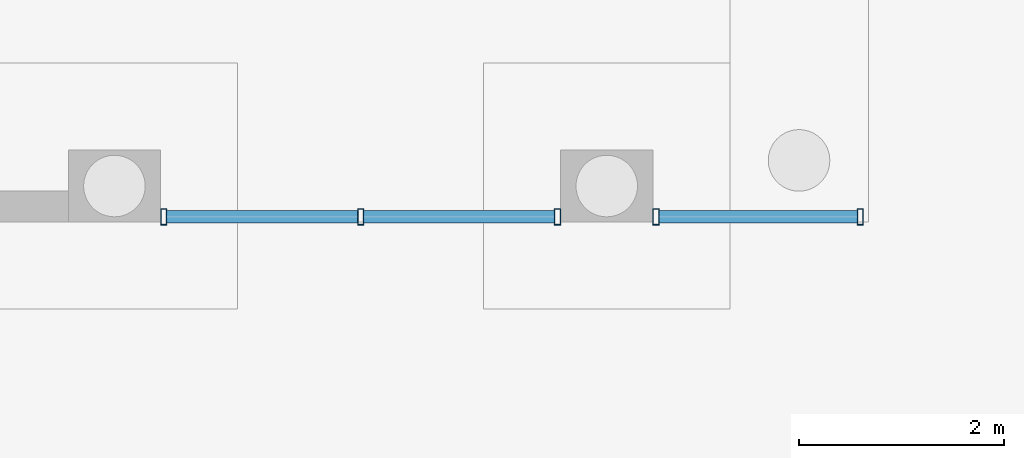
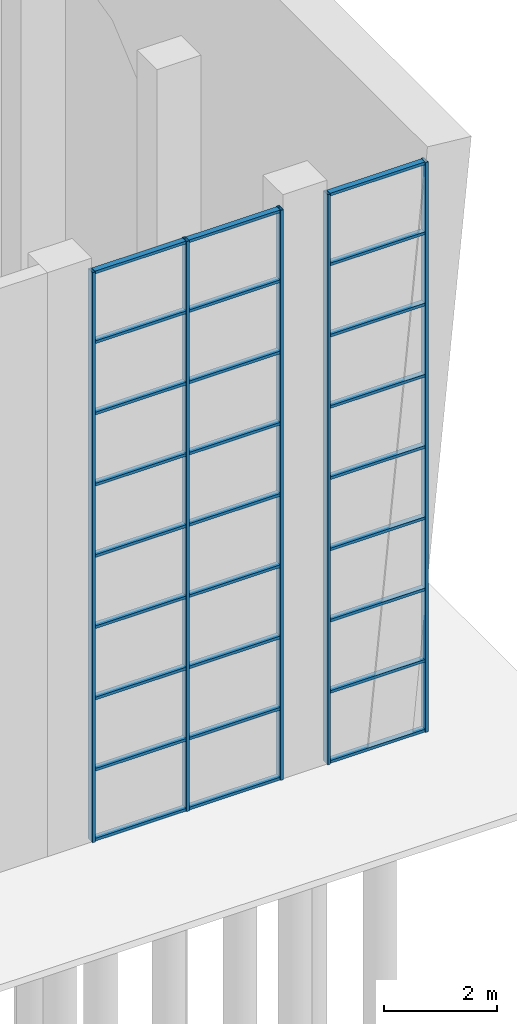
# One storey, part 37 of 58: 32 members, 2 elements without a shape of their own.
"""IFC4 building model written with IfcOpenShell, lengths in metres."""

from ifc_helpers import new_model, si_unit, direction, frame, origin, origin_2d, place, context, subcontext, project, spatial, hollow_rectangle, extrude, material, layer, layer_set, material_profile, profile_set, type_object, element, aggregate, save


model = new_model("IFC4")

# Units and contexts
model_context = context("Model", 3, precision=1e-05, world=origin(), true_north=direction((0.0, 1.0)))
body_context = subcontext(model_context, "Body", "Model", "MODEL_VIEW")
ifc_project = project(units=[si_unit("LENGTHUNIT", "METRE"), si_unit("AREAUNIT", "SQUARE_METRE"), si_unit("VOLUMEUNIT", "CUBIC_METRE"), si_unit("PLANEANGLEUNIT", "RADIAN"), si_unit("MASSUNIT", "GRAM", prefix="KILO")], contexts=[model_context])

# Site, building, storey
site_placement = place(None, origin())
site = spatial("IfcSite", under=ifc_project, at=site_placement, CompositionType="ELEMENT")
building_placement = place(site_placement, origin())
building = spatial("IfcBuilding", under=site, at=building_placement, Name="Baori Bourse Tower", CompositionType="ELEMENT")
storey_placement = place(building_placement, origin())
storey = spatial("IfcBuildingStorey", under=building, at=storey_placement, Name="L00", CompositionType="ELEMENT", Elevation=0.0)

# Curtain wall, members
ifc_material_1 = material(Name="Pale anodised aluminium", Category="aluminium")
ifc_layer = layer(ifc_material_1, 0.10009765625)
ifc_layer_set = layer_set([ifc_layer], Name="Wing curtain wall")
curtain_wall_type = type_object("IfcCurtainWallType", Name="Wing curtain wall", PredefinedType="NOTDEFINED", material=ifc_layer_set)
curtain_wall_1_placement = place(storey_placement, origin())
curtain_wall_1 = element("IfcCurtainWall", 1, at=curtain_wall_1_placement, inside=storey, type_object=curtain_wall_type, Name="wing/L00/Ecw/001", PredefinedType="NOTDEFINED")
ifc_material_2 = material(Name="Pale anodised aluminium", Category="aluminium")
ifc_material_profile_1 = material_profile(ifc_material_2, hollow_rectangle(XDim=0.159912109375, YDim=0.06005859375, WallThickness=0.0048828125, at=origin_2d()), Name="Mullion 160x60x5")
ifc_profile_set_1 = profile_set([ifc_material_profile_1], Name="Pale anodised aluminium")
member_type_1 = type_object("IfcMemberType", Name="Wing mullion 60x160", PredefinedType="MULLION", material=ifc_profile_set_1)
member_1_placement = place(storey_placement, frame((72.47998046875, -25.14990234375, 0.0), z_axis=(0.0, 0.0, 1.0), x_axis=(0.0, 1.0, 0.0)))
member_1 = element("IfcMember", 2, at=member_1_placement, type_object=member_type_1, Name="X12 mullion 1", PredefinedType="MULLION", context=body_context, shape_type="SweptSolid", body=[
    extrude(hollow_rectangle(XDim=0.159912109375, YDim=0.06005859375, WallThickness=0.0048828125, at=origin_2d()), origin(), (0.0, 0.0, 1.0), 12.300048828125),
])
member_2_placement = place(storey_placement, frame((74.47265625, -25.14990234375, 0.0), z_axis=(0.0, 0.0, 1.0), x_axis=(0.0, 1.0, 0.0)))
member_2 = element("IfcMember", 3, at=member_2_placement, type_object=member_type_1, Name="X12 mullion 2", PredefinedType="MULLION", context=body_context, shape_type="SweptSolid", body=[
    extrude(hollow_rectangle(XDim=0.159912109375, YDim=0.06005859375, WallThickness=0.0048828125, at=origin_2d()), origin(), (0.0, 0.0, 1.0), 12.300048828125),
])

curtain_wall_2_placement = place(storey_placement, origin())
curtain_wall_2 = element("IfcCurtainWall", 4, at=curtain_wall_2_placement, inside=storey, type_object=curtain_wall_type, Name="wing/L00/Ecw/002", PredefinedType="NOTDEFINED")
member_3_placement = place(storey_placement, frame((67.679931640625, -25.14990234375, 0.0), z_axis=(0.0, 0.0, 1.0), x_axis=(0.0, 1.0, 0.0)))
member_3 = element("IfcMember", 5, at=member_3_placement, type_object=member_type_1, Name="X12 mullion 1", PredefinedType="MULLION", context=body_context, shape_type="SweptSolid", body=[
    extrude(hollow_rectangle(XDim=0.159912109375, YDim=0.06005859375, WallThickness=0.0048828125, at=origin_2d()), origin(), (0.0, 0.0, 1.0), 12.300048828125),
])
member_4_placement = place(storey_placement, frame((69.60009765625, -25.14990234375, 0.0), z_axis=(0.0, 0.0, 1.0), x_axis=(0.0, 1.0, 0.0)))
member_4 = element("IfcMember", 6, at=member_4_placement, type_object=member_type_1, Name="X12 mullion 2", PredefinedType="MULLION", context=body_context, shape_type="SweptSolid", body=[
    extrude(hollow_rectangle(XDim=0.159912109375, YDim=0.06005859375, WallThickness=0.0048828125, at=origin_2d()), origin(), (0.0, 0.0, 1.0), 12.300048828125),
])
member_5_placement = place(storey_placement, frame((71.52001953125, -25.14990234375, 0.0), z_axis=(0.0, 0.0, 1.0), x_axis=(0.0, 1.0, 0.0)))
member_5 = element("IfcMember", 7, at=member_5_placement, type_object=member_type_1, Name="X12 mullion 3", PredefinedType="MULLION", context=body_context, shape_type="SweptSolid", body=[
    extrude(hollow_rectangle(XDim=0.159912109375, YDim=0.06005859375, WallThickness=0.0048828125, at=origin_2d()), origin(), (0.0, 0.0, 1.0), 12.300048828125),
])

# Member
ifc_material_3 = material(Name="Pale anodised aluminium", Category="aluminium")
ifc_material_profile_2 = material_profile(ifc_material_3, hollow_rectangle(XDim=0.1201171875, YDim=0.06005859375, WallThickness=0.0048828125, at=origin_2d()), Name="Transom 120x60x5")
ifc_profile_set_2 = profile_set([ifc_material_profile_2], Name="Pale anodised aluminium")
member_type_2 = type_object("IfcMemberType", Name="Wing transom 120x60", PredefinedType="USERDEFINED", material=ifc_profile_set_2)
member_6_placement = place(storey_placement, frame((72.510009765625, -25.14990234375, 0.030029296875), z_axis=(1.0, 0.0, 0.0), x_axis=(0.0, 1.0, 0.0)))
member_6 = element("IfcMember", 8, at=member_6_placement, type_object=member_type_2, Name="X12 transom 1.1", ObjectType="TRANSOM", PredefinedType="USERDEFINED", context=body_context, shape_type="SweptSolid", body=[
    extrude(hollow_rectangle(XDim=0.1201171875, YDim=0.06005859375, WallThickness=0.0048828125, at=origin_2d()), origin(), (0.0, 0.0, 1.0), 1.9326171875),
])

member_7_placement = place(storey_placement, frame((72.510009765625, -25.14990234375, 1.53759765625), z_axis=(1.0, 0.0, 0.0), x_axis=(0.0, 1.0, 0.0)))
member_7 = element("IfcMember", 9, at=member_7_placement, type_object=member_type_2, Name="X12 transom 1.2", ObjectType="TRANSOM", PredefinedType="USERDEFINED", context=body_context, shape_type="SweptSolid", body=[
    extrude(hollow_rectangle(XDim=0.1201171875, YDim=0.06005859375, WallThickness=0.0048828125, at=origin_2d()), origin(), (0.0, 0.0, 1.0), 1.9326171875),
])

member_8_placement = place(storey_placement, frame((72.510009765625, -25.14990234375, 3.074951171875), z_axis=(1.0, 0.0, 0.0), x_axis=(0.0, 1.0, 0.0)))
member_8 = element("IfcMember", 10, at=member_8_placement, type_object=member_type_2, Name="X12 transom 1.3", ObjectType="TRANSOM", PredefinedType="USERDEFINED", context=body_context, shape_type="SweptSolid", body=[
    extrude(hollow_rectangle(XDim=0.1201171875, YDim=0.06005859375, WallThickness=0.0048828125, at=origin_2d()), origin(), (0.0, 0.0, 1.0), 1.9326171875),
])

member_9_placement = place(storey_placement, frame((72.510009765625, -25.14990234375, 4.612548828125), z_axis=(1.0, 0.0, 0.0), x_axis=(0.0, 1.0, 0.0)))
member_9 = element("IfcMember", 11, at=member_9_placement, type_object=member_type_2, Name="X12 transom 1.4", ObjectType="TRANSOM", PredefinedType="USERDEFINED", context=body_context, shape_type="SweptSolid", body=[
    extrude(hollow_rectangle(XDim=0.1201171875, YDim=0.06005859375, WallThickness=0.0048828125, at=origin_2d()), origin(), (0.0, 0.0, 1.0), 1.9326171875),
])

member_10_placement = place(storey_placement, frame((72.510009765625, -25.14990234375, 6.14990234375), z_axis=(1.0, 0.0, 0.0), x_axis=(0.0, 1.0, 0.0)))
member_10 = element("IfcMember", 12, at=member_10_placement, type_object=member_type_2, Name="X12 transom 1.5", ObjectType="TRANSOM", PredefinedType="USERDEFINED", context=body_context, shape_type="SweptSolid", body=[
    extrude(hollow_rectangle(XDim=0.1201171875, YDim=0.06005859375, WallThickness=0.0048828125, at=origin_2d()), origin(), (0.0, 0.0, 1.0), 1.9326171875),
])

member_11_placement = place(storey_placement, frame((72.510009765625, -25.14990234375, 7.6875), z_axis=(1.0, 0.0, 0.0), x_axis=(0.0, 1.0, 0.0)))
member_11 = element("IfcMember", 13, at=member_11_placement, type_object=member_type_2, Name="X12 transom 1.6", ObjectType="TRANSOM", PredefinedType="USERDEFINED", context=body_context, shape_type="SweptSolid", body=[
    extrude(hollow_rectangle(XDim=0.1201171875, YDim=0.06005859375, WallThickness=0.0048828125, at=origin_2d()), origin(), (0.0, 0.0, 1.0), 1.9326171875),
])

member_12_placement = place(storey_placement, frame((72.510009765625, -25.14990234375, 9.22509765625), z_axis=(1.0, 0.0, 0.0), x_axis=(0.0, 1.0, 0.0)))
member_12 = element("IfcMember", 14, at=member_12_placement, type_object=member_type_2, Name="X12 transom 1.7", ObjectType="TRANSOM", PredefinedType="USERDEFINED", context=body_context, shape_type="SweptSolid", body=[
    extrude(hollow_rectangle(XDim=0.1201171875, YDim=0.06005859375, WallThickness=0.0048828125, at=origin_2d()), origin(), (0.0, 0.0, 1.0), 1.9326171875),
])

member_13_placement = place(storey_placement, frame((72.510009765625, -25.14990234375, 10.762451171875), z_axis=(1.0, 0.0, 0.0), x_axis=(0.0, 1.0, 0.0)))
member_13 = element("IfcMember", 15, at=member_13_placement, type_object=member_type_2, Name="X12 transom 1.8", ObjectType="TRANSOM", PredefinedType="USERDEFINED", context=body_context, shape_type="SweptSolid", body=[
    extrude(hollow_rectangle(XDim=0.1201171875, YDim=0.06005859375, WallThickness=0.0048828125, at=origin_2d()), origin(), (0.0, 0.0, 1.0), 1.9326171875),
])

member_14_placement = place(storey_placement, frame((72.510009765625, -25.14990234375, 12.27001953125), z_axis=(1.0, 0.0, 0.0), x_axis=(0.0, 1.0, 0.0)))
member_14 = element("IfcMember", 16, at=member_14_placement, type_object=member_type_2, Name="X12 transom 1.9", ObjectType="TRANSOM", PredefinedType="USERDEFINED", context=body_context, shape_type="SweptSolid", body=[
    extrude(hollow_rectangle(XDim=0.1201171875, YDim=0.06005859375, WallThickness=0.0048828125, at=origin_2d()), origin(), (0.0, 0.0, 1.0), 1.9326171875),
])

aggregate(curtain_wall_1, [member_1, member_2, member_6, member_7, member_8, member_9, member_10, member_11, member_12, member_13, member_14])

member_15_placement = place(storey_placement, frame((67.7099609375, -25.14990234375, 0.030029296875), z_axis=(1.0, 0.0, 0.0), x_axis=(0.0, 1.0, 0.0)))
member_15 = element("IfcMember", 17, at=member_15_placement, type_object=member_type_2, Name="X12 transom 1.1", ObjectType="TRANSOM", PredefinedType="USERDEFINED", context=body_context, shape_type="SweptSolid", body=[
    extrude(hollow_rectangle(XDim=0.1201171875, YDim=0.06005859375, WallThickness=0.0048828125, at=origin_2d()), origin(), (0.0, 0.0, 1.0), 1.860107421875),
])

member_16_placement = place(storey_placement, frame((67.7099609375, -25.14990234375, 1.53759765625), z_axis=(1.0, 0.0, 0.0), x_axis=(0.0, 1.0, 0.0)))
member_16 = element("IfcMember", 18, at=member_16_placement, type_object=member_type_2, Name="X12 transom 1.2", ObjectType="TRANSOM", PredefinedType="USERDEFINED", context=body_context, shape_type="SweptSolid", body=[
    extrude(hollow_rectangle(XDim=0.1201171875, YDim=0.06005859375, WallThickness=0.0048828125, at=origin_2d()), origin(), (0.0, 0.0, 1.0), 1.860107421875),
])

member_17_placement = place(storey_placement, frame((67.7099609375, -25.14990234375, 3.074951171875), z_axis=(1.0, 0.0, 0.0), x_axis=(0.0, 1.0, 0.0)))
member_17 = element("IfcMember", 19, at=member_17_placement, type_object=member_type_2, Name="X12 transom 1.3", ObjectType="TRANSOM", PredefinedType="USERDEFINED", context=body_context, shape_type="SweptSolid", body=[
    extrude(hollow_rectangle(XDim=0.1201171875, YDim=0.06005859375, WallThickness=0.0048828125, at=origin_2d()), origin(), (0.0, 0.0, 1.0), 1.860107421875),
])

member_18_placement = place(storey_placement, frame((67.7099609375, -25.14990234375, 4.612548828125), z_axis=(1.0, 0.0, 0.0), x_axis=(0.0, 1.0, 0.0)))
member_18 = element("IfcMember", 20, at=member_18_placement, type_object=member_type_2, Name="X12 transom 1.4", ObjectType="TRANSOM", PredefinedType="USERDEFINED", context=body_context, shape_type="SweptSolid", body=[
    extrude(hollow_rectangle(XDim=0.1201171875, YDim=0.06005859375, WallThickness=0.0048828125, at=origin_2d()), origin(), (0.0, 0.0, 1.0), 1.860107421875),
])

member_19_placement = place(storey_placement, frame((67.7099609375, -25.14990234375, 6.14990234375), z_axis=(1.0, 0.0, 0.0), x_axis=(0.0, 1.0, 0.0)))
member_19 = element("IfcMember", 21, at=member_19_placement, type_object=member_type_2, Name="X12 transom 1.5", ObjectType="TRANSOM", PredefinedType="USERDEFINED", context=body_context, shape_type="SweptSolid", body=[
    extrude(hollow_rectangle(XDim=0.1201171875, YDim=0.06005859375, WallThickness=0.0048828125, at=origin_2d()), origin(), (0.0, 0.0, 1.0), 1.860107421875),
])

member_20_placement = place(storey_placement, frame((67.7099609375, -25.14990234375, 7.6875), z_axis=(1.0, 0.0, 0.0), x_axis=(0.0, 1.0, 0.0)))
member_20 = element("IfcMember", 22, at=member_20_placement, type_object=member_type_2, Name="X12 transom 1.6", ObjectType="TRANSOM", PredefinedType="USERDEFINED", context=body_context, shape_type="SweptSolid", body=[
    extrude(hollow_rectangle(XDim=0.1201171875, YDim=0.06005859375, WallThickness=0.0048828125, at=origin_2d()), origin(), (0.0, 0.0, 1.0), 1.860107421875),
])

member_21_placement = place(storey_placement, frame((67.7099609375, -25.14990234375, 9.22509765625), z_axis=(1.0, 0.0, 0.0), x_axis=(0.0, 1.0, 0.0)))
member_21 = element("IfcMember", 23, at=member_21_placement, type_object=member_type_2, Name="X12 transom 1.7", ObjectType="TRANSOM", PredefinedType="USERDEFINED", context=body_context, shape_type="SweptSolid", body=[
    extrude(hollow_rectangle(XDim=0.1201171875, YDim=0.06005859375, WallThickness=0.0048828125, at=origin_2d()), origin(), (0.0, 0.0, 1.0), 1.860107421875),
])

member_22_placement = place(storey_placement, frame((67.7099609375, -25.14990234375, 10.762451171875), z_axis=(1.0, 0.0, 0.0), x_axis=(0.0, 1.0, 0.0)))
member_22 = element("IfcMember", 24, at=member_22_placement, type_object=member_type_2, Name="X12 transom 1.8", ObjectType="TRANSOM", PredefinedType="USERDEFINED", context=body_context, shape_type="SweptSolid", body=[
    extrude(hollow_rectangle(XDim=0.1201171875, YDim=0.06005859375, WallThickness=0.0048828125, at=origin_2d()), origin(), (0.0, 0.0, 1.0), 1.860107421875),
])

member_23_placement = place(storey_placement, frame((67.7099609375, -25.14990234375, 12.27001953125), z_axis=(1.0, 0.0, 0.0), x_axis=(0.0, 1.0, 0.0)))
member_23 = element("IfcMember", 25, at=member_23_placement, type_object=member_type_2, Name="X12 transom 1.9", ObjectType="TRANSOM", PredefinedType="USERDEFINED", context=body_context, shape_type="SweptSolid", body=[
    extrude(hollow_rectangle(XDim=0.1201171875, YDim=0.06005859375, WallThickness=0.0048828125, at=origin_2d()), origin(), (0.0, 0.0, 1.0), 1.860107421875),
])

member_24_placement = place(storey_placement, frame((69.6298828125, -25.14990234375, 0.030029296875), z_axis=(1.0, 0.0, 0.0), x_axis=(0.0, 1.0, 0.0)))
member_24 = element("IfcMember", 26, at=member_24_placement, type_object=member_type_2, Name="X12 transom 2.1", ObjectType="TRANSOM", PredefinedType="USERDEFINED", context=body_context, shape_type="SweptSolid", body=[
    extrude(hollow_rectangle(XDim=0.1201171875, YDim=0.06005859375, WallThickness=0.0048828125, at=origin_2d()), origin(), (0.0, 0.0, 1.0), 1.860107421875),
])

member_25_placement = place(storey_placement, frame((69.6298828125, -25.14990234375, 1.53759765625), z_axis=(1.0, 0.0, 0.0), x_axis=(0.0, 1.0, 0.0)))
member_25 = element("IfcMember", 27, at=member_25_placement, type_object=member_type_2, Name="X12 transom 2.2", ObjectType="TRANSOM", PredefinedType="USERDEFINED", context=body_context, shape_type="SweptSolid", body=[
    extrude(hollow_rectangle(XDim=0.1201171875, YDim=0.06005859375, WallThickness=0.0048828125, at=origin_2d()), origin(), (0.0, 0.0, 1.0), 1.860107421875),
])

member_26_placement = place(storey_placement, frame((69.6298828125, -25.14990234375, 3.074951171875), z_axis=(1.0, 0.0, 0.0), x_axis=(0.0, 1.0, 0.0)))
member_26 = element("IfcMember", 28, at=member_26_placement, type_object=member_type_2, Name="X12 transom 2.3", ObjectType="TRANSOM", PredefinedType="USERDEFINED", context=body_context, shape_type="SweptSolid", body=[
    extrude(hollow_rectangle(XDim=0.1201171875, YDim=0.06005859375, WallThickness=0.0048828125, at=origin_2d()), origin(), (0.0, 0.0, 1.0), 1.860107421875),
])

member_27_placement = place(storey_placement, frame((69.6298828125, -25.14990234375, 4.612548828125), z_axis=(1.0, 0.0, 0.0), x_axis=(0.0, 1.0, 0.0)))
member_27 = element("IfcMember", 29, at=member_27_placement, type_object=member_type_2, Name="X12 transom 2.4", ObjectType="TRANSOM", PredefinedType="USERDEFINED", context=body_context, shape_type="SweptSolid", body=[
    extrude(hollow_rectangle(XDim=0.1201171875, YDim=0.06005859375, WallThickness=0.0048828125, at=origin_2d()), origin(), (0.0, 0.0, 1.0), 1.860107421875),
])

member_28_placement = place(storey_placement, frame((69.6298828125, -25.14990234375, 6.14990234375), z_axis=(1.0, 0.0, 0.0), x_axis=(0.0, 1.0, 0.0)))
member_28 = element("IfcMember", 30, at=member_28_placement, type_object=member_type_2, Name="X12 transom 2.5", ObjectType="TRANSOM", PredefinedType="USERDEFINED", context=body_context, shape_type="SweptSolid", body=[
    extrude(hollow_rectangle(XDim=0.1201171875, YDim=0.06005859375, WallThickness=0.0048828125, at=origin_2d()), origin(), (0.0, 0.0, 1.0), 1.860107421875),
])

member_29_placement = place(storey_placement, frame((69.6298828125, -25.14990234375, 7.6875), z_axis=(1.0, 0.0, 0.0), x_axis=(0.0, 1.0, 0.0)))
member_29 = element("IfcMember", 31, at=member_29_placement, type_object=member_type_2, Name="X12 transom 2.6", ObjectType="TRANSOM", PredefinedType="USERDEFINED", context=body_context, shape_type="SweptSolid", body=[
    extrude(hollow_rectangle(XDim=0.1201171875, YDim=0.06005859375, WallThickness=0.0048828125, at=origin_2d()), origin(), (0.0, 0.0, 1.0), 1.860107421875),
])

member_30_placement = place(storey_placement, frame((69.6298828125, -25.14990234375, 9.22509765625), z_axis=(1.0, 0.0, 0.0), x_axis=(0.0, 1.0, 0.0)))
member_30 = element("IfcMember", 32, at=member_30_placement, type_object=member_type_2, Name="X12 transom 2.7", ObjectType="TRANSOM", PredefinedType="USERDEFINED", context=body_context, shape_type="SweptSolid", body=[
    extrude(hollow_rectangle(XDim=0.1201171875, YDim=0.06005859375, WallThickness=0.0048828125, at=origin_2d()), origin(), (0.0, 0.0, 1.0), 1.860107421875),
])

member_31_placement = place(storey_placement, frame((69.6298828125, -25.14990234375, 10.762451171875), z_axis=(1.0, 0.0, 0.0), x_axis=(0.0, 1.0, 0.0)))
member_31 = element("IfcMember", 33, at=member_31_placement, type_object=member_type_2, Name="X12 transom 2.8", ObjectType="TRANSOM", PredefinedType="USERDEFINED", context=body_context, shape_type="SweptSolid", body=[
    extrude(hollow_rectangle(XDim=0.1201171875, YDim=0.06005859375, WallThickness=0.0048828125, at=origin_2d()), origin(), (0.0, 0.0, 1.0), 1.860107421875),
])

member_32_placement = place(storey_placement, frame((69.6298828125, -25.14990234375, 12.27001953125), z_axis=(1.0, 0.0, 0.0), x_axis=(0.0, 1.0, 0.0)))
member_32 = element("IfcMember", 34, at=member_32_placement, type_object=member_type_2, Name="X12 transom 2.9", ObjectType="TRANSOM", PredefinedType="USERDEFINED", context=body_context, shape_type="SweptSolid", body=[
    extrude(hollow_rectangle(XDim=0.1201171875, YDim=0.06005859375, WallThickness=0.0048828125, at=origin_2d()), origin(), (0.0, 0.0, 1.0), 1.860107421875),
])

aggregate(curtain_wall_2, [member_3, member_4, member_5, member_15, member_16, member_17, member_18, member_19, member_20, member_21, member_22, member_23, member_24, member_25, member_26, member_27, member_28, member_29, member_30, member_31, member_32])

save(model, "model.ifc")
